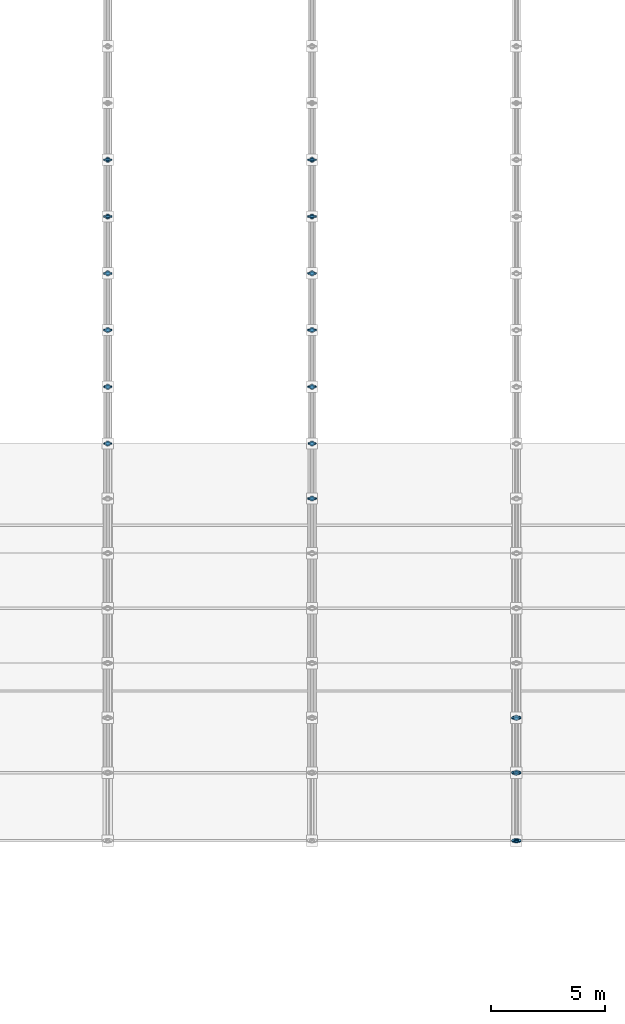
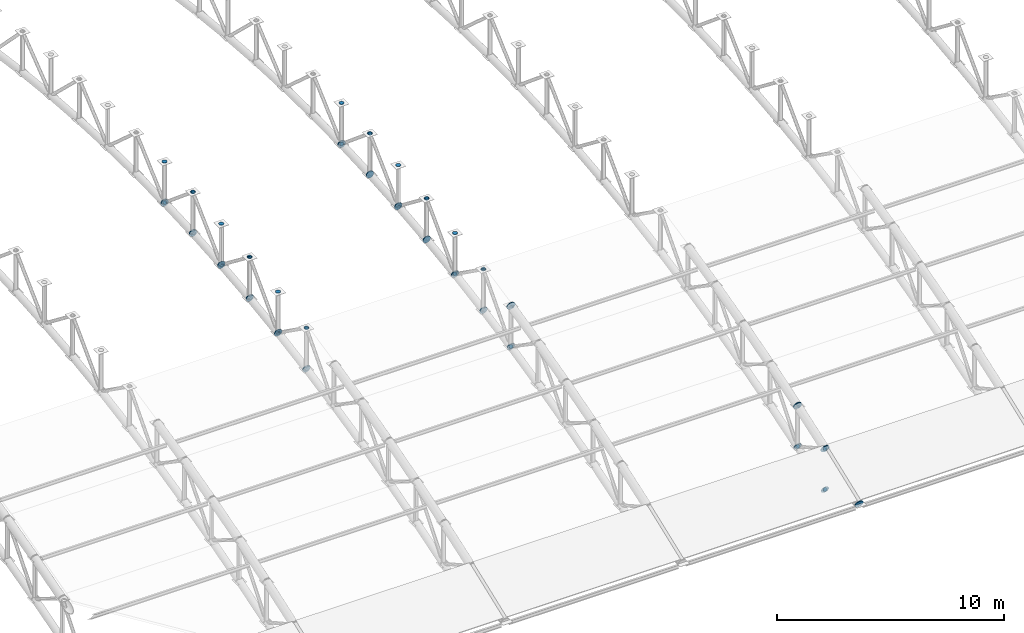
# One storey, part 120 of 195: 94 discrete accessories.
"""IFC4 building model written with IfcOpenShell, lengths in metres."""

import ifcopenshell
import ifcopenshell.guid

model = None  # the IFC model being written
_history = None  # IfcOwnerHistory: only IFC2X3 demands one
_inside = {}  # id of a spatial element -> (the spatial element, [elements in it])
_under = {}  # id of a project, library or spatial element -> (it, [spatial elements below it])
_declared = {}  # id of a project -> (the project, [libraries it declares])
_typed = {}  # id of a type object -> (the type object, [elements of that type])
_made_of = {}  # id of a material, layer set ... -> (it, [elements and type objects made of it])


def new_model(schema):
    """Start an empty IFC model of exactly this schema.

    Asked for "IFC4X3", IfcOpenShell would pick the latest addendum, in which some entities
    have other attributes; the version numbers below select the first issue.
    IFC2X3 requires an IfcOwnerHistory on every rooted entity: one is made here for all.
    """
    global model, _history
    if schema == "IFC4X3":
        model = ifcopenshell.file(schema_version=(4, 3, 0, 0))
    else:
        model = ifcopenshell.file(schema=schema)
    _inside.clear()
    _under.clear()
    _declared.clear()
    _typed.clear()
    _made_of.clear()
    _history = None
    if model.schema == "IFC2X3":
        org = make("IfcOrganization", Name="unknown")
        user = make(
            "IfcPersonAndOrganization",
            ThePerson=make("IfcPerson", FamilyName="unknown"),
            TheOrganization=org,
        )
        app = make(
            "IfcApplication",
            ApplicationDeveloper=org,
            Version="unknown",
            ApplicationFullName="unknown",
            ApplicationIdentifier="unknown",
        )
        _history = make(
            "IfcOwnerHistory",
            OwningUser=user,
            OwningApplication=app,
            ChangeAction="ADDED",
            CreationDate=0,
        )
    return model


def make(cls, **values):
    """One entity of the class cls with the attributes given. An attribute that is None is left unset."""
    return model.create_entity(
        cls, **{name: value for name, value in values.items() if value is not None}
    )


def rooted(cls, **values):
    """An entity with a GlobalId (a new one), such as an element, a storey or a relation."""
    return make(cls, GlobalId=ifcopenshell.guid.new(), OwnerHistory=_history, **values)


def si_unit(unit_type, name, prefix=None):
    """IfcSIUnit, for example si_unit("LENGTHUNIT", "METRE", prefix="MILLI")."""
    return make("IfcSIUnit", UnitType=unit_type, Prefix=prefix, Name=name)


def assignment(units):
    """IfcUnitAssignment: the units of a project."""
    return None if units is None else make("IfcUnitAssignment", Units=units)


def point(xyz):
    """IfcCartesianPoint."""
    return None if xyz is None else make("IfcCartesianPoint", Coordinates=xyz)


def direction(xyz):
    """IfcDirection."""
    return None if xyz is None else make("IfcDirection", DirectionRatios=xyz)


def frame(location, z_axis=None, x_axis=None):
    """IfcAxis2Placement3D, a coordinate frame: its origin and axes. An axis left out is left unset."""
    return make(
        "IfcAxis2Placement3D",
        Location=point(location),
        Axis=direction(z_axis),
        RefDirection=direction(x_axis),
    )


def frame_2d(location, x_axis=None):
    """IfcAxis2Placement2D, a coordinate frame in the plane: its origin and x axis."""
    return make(
        "IfcAxis2Placement2D", Location=point(location), RefDirection=direction(x_axis)
    )


def origin():
    """The frame at (0, 0, 0) with its axes left unset."""
    return frame((0.0, 0.0, 0.0))


def origin_2d():
    """The frame at (0, 0) in the plane with its x axis left unset."""
    return frame_2d((0.0, 0.0))


def place(relative_to, where):
    """IfcLocalPlacement: puts the frame where relative to a parent placement (None: the world)."""
    return make(
        "IfcLocalPlacement", PlacementRelTo=relative_to, RelativePlacement=where
    )


def context(
    kind, dimensions, precision=None, world=None, true_north=None, identifier=None
):
    """IfcGeometricRepresentationContext, for example the 3D "Model" context."""
    return make(
        "IfcGeometricRepresentationContext",
        ContextIdentifier=identifier,
        ContextType=kind,
        CoordinateSpaceDimension=dimensions,
        Precision=precision,
        WorldCoordinateSystem=world,
        TrueNorth=true_north,
    )


def subcontext(parent, identifier, kind, view, scale=None):
    """IfcGeometricRepresentationSubContext, for example "Body" below "Model"."""
    return make(
        "IfcGeometricRepresentationSubContext",
        ContextIdentifier=identifier,
        ContextType=kind,
        ParentContext=parent,
        TargetScale=scale,
        TargetView=view,
    )


def project(units=None, contexts=None):
    """IfcProject with its units and contexts."""
    return rooted(
        "IfcProject",
        Name="project",
        RepresentationContexts=contexts,
        UnitsInContext=assignment(units),
    )


def spatial(cls, under=None, at=None, **own):
    """A site, building, storey or space (cls), placed at a placement, below another one or the project."""
    s = rooted(cls, ObjectPlacement=at, **own)
    if under is not None:
        _under.setdefault(under.id(), (under, []))[1].append(s)
    return s


def profile(cls, at=None, kind="AREA", **sizes):
    """A parametric profile (cls). Its sizes go by their IFC names, for example OverallWidth=200.0."""
    return make(cls, ProfileType=kind, Position=at, **sizes)


def circle(**sizes):
    """IfcCircleProfileDef."""
    return profile("IfcCircleProfileDef", **sizes)


def extrude(swept, where, along, depth):
    """IfcExtrudedAreaSolid: the profile swept, set in the frame where, extruded along a direction by depth."""
    return make(
        "IfcExtrudedAreaSolid",
        SweptArea=swept,
        Position=where,
        ExtrudedDirection=direction(along),
        Depth=depth,
    )


def shape(context_of_items, identifier, shape_type, items):
    """IfcShapeRepresentation: the items that make up one representation, for example the "Body"."""
    return make(
        "IfcShapeRepresentation",
        ContextOfItems=context_of_items,
        RepresentationIdentifier=identifier,
        RepresentationType=shape_type,
        Items=items,
    )


def material(Name=None, Category=None):
    """IfcMaterial."""
    return make("IfcMaterial", Name=Name, Category=Category)


def made_of(thing, what):
    """Note that an element or type object is made of a material, layer set ...; save() writes the relation."""
    if what is not None:
        _made_of.setdefault(what.id(), (what, []))[1].append(thing)
    return thing


def element(
    cls,
    number,
    at=None,
    inside=None,
    cuts=None,
    type_object=None,
    material=None,
    context=None,
    identifier="Body",
    shape_type=None,
    held_by="IfcProductDefinitionShape",
    body=None,
    shapes=None,
    **own,
):
    """One element of the class cls, such as IfcWall. Its Tag is "e" and its number.

    at: its placement. inside: the storey or other place that contains it. cuts: it is an
    opening in that element (IfcRelVoidsElement). A single representation is given by context,
    identifier, shape_type and body (its items); several are given by shapes. held_by: the class
    of the entity that holds the representations. save() writes the other relations.
    """
    e = rooted(cls, Tag="e%d" % number, ObjectPlacement=at, **own)
    if body is not None:
        shapes = [shape(context, identifier, shape_type, body)]
    if shapes is not None:
        e.Representation = make(held_by, Representations=shapes)
    if inside is not None:
        _inside.setdefault(inside.id(), (inside, []))[1].append(e)
    if cuts is not None:
        rooted(
            "IfcRelVoidsElement", RelatingBuildingElement=cuts, RelatedOpeningElement=e
        )
    if type_object is not None:
        _typed.setdefault(type_object.id(), (type_object, []))[1].append(e)
    return made_of(e, material)


def aggregate(whole, parts):
    """IfcRelAggregates: a whole, such as a stair, and the parts it consists of."""
    return rooted("IfcRelAggregates", RelatingObject=whole, RelatedObjects=parts)


def save(model, path):
    """Write the relations noted so far, then the file.

    IfcRelAggregates (storeys below a building ...), IfcRelContainedInSpatialStructure (elements
    in a storey), IfcRelDefinesByType, IfcRelAssociatesMaterial and IfcRelDeclares: one each for
    every whole, place, type object, material and project.
    """
    for whole, parts in _under.values():
        aggregate(whole, parts)
    for where, things in _inside.values():
        rooted(
            "IfcRelContainedInSpatialStructure",
            RelatedElements=things,
            RelatingStructure=where,
        )
    for kind, things in _typed.values():
        rooted("IfcRelDefinesByType", RelatedObjects=things, RelatingType=kind)
    for what, things in _made_of.values():
        rooted("IfcRelAssociatesMaterial", RelatedObjects=things, RelatingMaterial=what)
    for by, libraries in _declared.values():
        rooted("IfcRelDeclares", RelatingContext=by, RelatedDefinitions=libraries)
    model.write(path)


model = new_model("IFC4")

# Units and contexts
model_context = context("Model", 3, precision=1e-05, world=origin(), true_north=direction((0.0, 1.0)))
body_context = subcontext(model_context, "Body", "Model", "MODEL_VIEW")
ifc_project = project(units=[si_unit("LENGTHUNIT", "METRE"), si_unit("AREAUNIT", "SQUARE_METRE"), si_unit("VOLUMEUNIT", "CUBIC_METRE"), si_unit("PLANEANGLEUNIT", "RADIAN"), si_unit("MASSUNIT", "GRAM", prefix="KILO")], contexts=[model_context])

# Site, building, storey
site_placement = place(None, origin())
site = spatial("IfcSite", under=ifc_project, at=site_placement, CompositionType="ELEMENT")
building_placement = place(site_placement, origin())
building = spatial("IfcBuilding", under=site, at=building_placement, Name="Marlcrest Central Station", CompositionType="ELEMENT")
storey_placement = place(building_placement, frame((0.0, 0.0, 9.800048828125)))
storey = spatial("IfcBuildingStorey", under=building, at=storey_placement, Name="L02", CompositionType="ELEMENT", Elevation=9.800048828125)

# Discrete accessories
ifc_material = material(Name="Steel S355", Category="steel")
discrete_accessory_1_placement = place(storey_placement, frame((18.0, 50.983154296875, 5.585205078125), z_axis=(0.0, 0.669244457479, 0.743042297675), x_axis=(-1.0, 0.0, 0.0)))
element("IfcDiscreteAccessory", 1, at=discrete_accessory_1_placement, inside=storey, material=ifc_material, Name="endcap-mem-AD-01-L02-00318-e", ObjectType="END_CAP_PLATE", PredefinedType="BRACKET", context=body_context, shape_type="SweptSolid", body=[
    extrude(circle(Radius=0.092041015625, at=origin_2d()), origin(), (0.0, 0.0, 1.0), 0.0400390625),
])
for number, where, z_axis, x_axis, name in (
    (2, (18.0, 50.985107421875, 3.4013671875), (0.0, 0.98574109921, 0.168269086076), (-1.0, 0.0, 0.0), "endcap-mem-AC-02-L02-00320-s"),
    (3, (18.0, 53.475341796875, 3.826416015625), (0.0, 0.98574109921, 0.168269086076), (-1.0, 0.0, 0.0), "endcap-mem-AC-02-L02-00320-e"),
):
    element("IfcDiscreteAccessory", number, at=place(storey_placement, frame(where, z_axis=z_axis, x_axis=x_axis)), inside=storey, material=ifc_material, Name=name, ObjectType="END_CAP_PLATE", PredefinedType="BRACKET", context=body_context, shape_type="SweptSolid", body=[
        extrude(circle(Radius=0.185791015625, at=origin_2d()), origin(), (0.0, 0.0, 1.0), 0.0400390625),
    ])
for number, where, z_axis, x_axis, name in (
    (4, (18.0, 51.0, 3.388916015625), (0.0, 0.0, 1.0), (1.0, 0.0, 0.0), "endcap-mem-AP-01-L02-00321-s"),
    (5, (18.0, 51.0, 5.578857421875), (0.0, 0.0, 1.0), (1.0, 0.0, 0.0), "endcap-mem-AP-01-L02-00321-e"),
):
    element("IfcDiscreteAccessory", number, at=place(storey_placement, frame(where, z_axis=z_axis, x_axis=x_axis)), inside=storey, material=ifc_material, Name=name, ObjectType="END_CAP_PLATE", PredefinedType="BRACKET", context=body_context, shape_type="SweptSolid", body=[
        extrude(circle(Radius=0.117431640625, at=origin_2d()), origin(), (0.0, 0.0, 1.0), 0.0400390625),
    ])
for number, where, z_axis, x_axis, name in (
    (6, (18.0, 50.98779296875, 5.612548828125), (0.0, 0.815661132754, -0.57852996164), (-1.0, 0.0, 0.0), "endcap-mem-AD-01-L02-00322-s"),
    (7, (18.0, 53.4794921875, 3.844970703125), (0.0, 0.815661132754, -0.57852996164), (-1.0, 0.0, 0.0), "endcap-mem-AD-01-L02-00322-e"),
):
    element("IfcDiscreteAccessory", number, at=place(storey_placement, frame(where, z_axis=z_axis, x_axis=x_axis)), inside=storey, material=ifc_material, Name=name, ObjectType="END_CAP_PLATE", PredefinedType="BRACKET", context=body_context, shape_type="SweptSolid", body=[
        extrude(circle(Radius=0.092041015625, at=origin_2d()), origin(), (0.0, 0.0, 1.0), 0.0400390625),
    ])
for number, where, z_axis, x_axis, name in (
    (8, (18.0, 53.485107421875, 3.82861328125), (0.0, 0.990402740232, 0.138211476152), (-1.0, 0.0, 0.0), "endcap-mem-AC-02-L02-00324-s"),
    (9, (18.0, 55.975341796875, 4.176025390625), (0.0, 0.990402740232, 0.138211476152), (-1.0, 0.0, 0.0), "endcap-mem-AC-02-L02-00324-e"),
):
    element("IfcDiscreteAccessory", number, at=place(storey_placement, frame(where, z_axis=z_axis, x_axis=x_axis)), inside=storey, material=ifc_material, Name=name, ObjectType="END_CAP_PLATE", PredefinedType="BRACKET", context=body_context, shape_type="SweptSolid", body=[
        extrude(circle(Radius=0.185791015625, at=origin_2d()), origin(), (0.0, 0.0, 1.0), 0.0400390625),
    ])
for number, where, z_axis, x_axis, name in (
    (10, (18.0, 53.5, 3.815673828125), (0.0, 0.0, 1.0), (1.0, 0.0, 0.0), "endcap-mem-AP-01-L02-00325-s"),
    (11, (18.0, 53.5, 6.005615234375), (0.0, 0.0, 1.0), (1.0, 0.0, 0.0), "endcap-mem-AP-01-L02-00325-e"),
):
    element("IfcDiscreteAccessory", number, at=place(storey_placement, frame(where, z_axis=z_axis, x_axis=x_axis)), inside=storey, material=ifc_material, Name=name, ObjectType="END_CAP_PLATE", PredefinedType="BRACKET", context=body_context, shape_type="SweptSolid", body=[
        extrude(circle(Radius=0.117431640625, at=origin_2d()), origin(), (0.0, 0.0, 1.0), 0.0400390625),
    ])
for number, where, z_axis, x_axis, name in (
    (12, (18.0, 53.489501953125, 3.81982421875), (0.0, 0.70023547796, 0.713911952139), (-1.0, 0.0, 0.0), "endcap-mem-AD-01-L02-00326-s"),
    (13, (18.0, 55.982421875, 6.361572265625), (0.0, 0.70023547796, 0.713911952139), (-1.0, 0.0, 0.0), "endcap-mem-AD-01-L02-00326-e"),
):
    element("IfcDiscreteAccessory", number, at=place(storey_placement, frame(where, z_axis=z_axis, x_axis=x_axis)), inside=storey, material=ifc_material, Name=name, ObjectType="END_CAP_PLATE", PredefinedType="BRACKET", context=body_context, shape_type="SweptSolid", body=[
        extrude(circle(Radius=0.092041015625, at=origin_2d()), origin(), (0.0, 0.0, 1.0), 0.0400390625),
    ])
for number, where, z_axis, x_axis, name in (
    (14, (18.0, 55.985107421875, 4.177734375), (0.0, 0.994155341034, 0.107959056565), (-1.0, 0.0, 0.0), "endcap-mem-AC-02-L02-00328-s"),
    (15, (18.0, 58.47509765625, 4.4482421875), (0.0, 0.994155341034, 0.107959056565), (-1.0, 0.0, 0.0), "endcap-mem-AC-02-L02-00328-e"),
):
    element("IfcDiscreteAccessory", number, at=place(storey_placement, frame(where, z_axis=z_axis, x_axis=x_axis)), inside=storey, material=ifc_material, Name=name, ObjectType="END_CAP_PLATE", PredefinedType="BRACKET", context=body_context, shape_type="SweptSolid", body=[
        extrude(circle(Radius=0.185791015625, at=origin_2d()), origin(), (0.0, 0.0, 1.0), 0.0400390625),
    ])
for number, where, z_axis, x_axis, name in (
    (16, (18.0, 56.0, 4.16455078125), (0.0, 0.0, 1.0), (1.0, 0.0, 0.0), "endcap-mem-AP-01-L02-00329-s"),
    (17, (18.0, 56.0, 6.3544921875), (0.0, 0.0, 1.0), (1.0, 0.0, 0.0), "endcap-mem-AP-01-L02-00329-e"),
):
    element("IfcDiscreteAccessory", number, at=place(storey_placement, frame(where, z_axis=z_axis, x_axis=x_axis)), inside=storey, material=ifc_material, Name=name, ObjectType="END_CAP_PLATE", PredefinedType="BRACKET", context=body_context, shape_type="SweptSolid", body=[
        extrude(circle(Radius=0.117431640625, at=origin_2d()), origin(), (0.0, 0.0, 1.0), 0.0400390625),
    ])
for number, where, z_axis, x_axis, name in (
    (18, (18.0, 55.988037109375, 6.388671875), (0.0, 0.791798282026, -0.610782678684), (-1.0, 0.0, 0.0), "endcap-mem-AD-01-L02-00330-s"),
    (19, (18.0, 58.480224609375, 4.46630859375), (0.0, 0.791798282026, -0.610782678684), (-1.0, 0.0, 0.0), "endcap-mem-AD-01-L02-00330-e"),
):
    element("IfcDiscreteAccessory", number, at=place(storey_placement, frame(where, z_axis=z_axis, x_axis=x_axis)), inside=storey, material=ifc_material, Name=name, ObjectType="END_CAP_PLATE", PredefinedType="BRACKET", context=body_context, shape_type="SweptSolid", body=[
        extrude(circle(Radius=0.092041015625, at=origin_2d()), origin(), (0.0, 0.0, 1.0), 0.0400390625),
    ])
for number, where, z_axis, x_axis, name in (
    (20, (18.0, 58.485107421875, 4.44970703125), (0.0, 0.997007334767, 0.077307014043), (-1.0, 0.0, 0.0), "endcap-mem-AC-02-L02-00332-s"),
    (21, (18.0, 60.97509765625, 4.642822265625), (0.0, 0.997007334767, 0.077307014043), (-1.0, 0.0, 0.0), "endcap-mem-AC-02-L02-00332-e"),
):
    element("IfcDiscreteAccessory", number, at=place(storey_placement, frame(where, z_axis=z_axis, x_axis=x_axis)), inside=storey, material=ifc_material, Name=name, ObjectType="END_CAP_PLATE", PredefinedType="BRACKET", context=body_context, shape_type="SweptSolid", body=[
        extrude(circle(Radius=0.185791015625, at=origin_2d()), origin(), (0.0, 0.0, 1.0), 0.0400390625),
    ])
for number, where, z_axis, x_axis, name in (
    (22, (18.0, 58.5, 4.43603515625), (0.0, 0.0, 1.0), (1.0, 0.0, 0.0), "endcap-mem-AP-01-L02-00333-s"),
    (23, (18.0, 58.5, 6.6259765625), (0.0, 0.0, 1.0), (1.0, 0.0, 0.0), "endcap-mem-AP-01-L02-00333-e"),
):
    element("IfcDiscreteAccessory", number, at=place(storey_placement, frame(where, z_axis=z_axis, x_axis=x_axis)), inside=storey, material=ifc_material, Name=name, ObjectType="END_CAP_PLATE", PredefinedType="BRACKET", context=body_context, shape_type="SweptSolid", body=[
        extrude(circle(Radius=0.117431640625, at=origin_2d()), origin(), (0.0, 0.0, 1.0), 0.0400390625),
    ])
for number, where, z_axis, x_axis, name in (
    (24, (18.0, 58.4892578125, 4.440673828125), (0.0, 0.722246537655, 0.691635698071), (-1.0, 0.0, 0.0), "endcap-mem-AD-01-L02-00334-s"),
    (25, (18.0, 60.98193359375, 6.82763671875), (0.0, 0.722246537655, 0.691635698071), (-1.0, 0.0, 0.0), "endcap-mem-AD-01-L02-00334-e"),
):
    element("IfcDiscreteAccessory", number, at=place(storey_placement, frame(where, z_axis=z_axis, x_axis=x_axis)), inside=storey, material=ifc_material, Name=name, ObjectType="END_CAP_PLATE", PredefinedType="BRACKET", context=body_context, shape_type="SweptSolid", body=[
        extrude(circle(Radius=0.092041015625, at=origin_2d()), origin(), (0.0, 0.0, 1.0), 0.0400390625),
    ])
for number, where, z_axis, x_axis, name in (
    (26, (18.0, 60.985107421875, 4.64404296875), (0.0, 0.998916819647, 0.046531574509), (-1.0, 0.0, 0.0), "endcap-mem-AC-02-L02-00336-s"),
    (27, (18.0, 63.47509765625, 4.760009765625), (0.0, 0.998916819647, 0.046531574509), (-1.0, 0.0, 0.0), "endcap-mem-AC-02-L02-00336-e"),
):
    element("IfcDiscreteAccessory", number, at=place(storey_placement, frame(where, z_axis=z_axis, x_axis=x_axis)), inside=storey, material=ifc_material, Name=name, ObjectType="END_CAP_PLATE", PredefinedType="BRACKET", context=body_context, shape_type="SweptSolid", body=[
        extrude(circle(Radius=0.185791015625, at=origin_2d()), origin(), (0.0, 0.0, 1.0), 0.0400390625),
    ])
for number, where, z_axis, x_axis, name in (
    (28, (18.0, 61.0, 4.6298828125), (0.0, 0.0, 1.0), (1.0, 0.0, 0.0), "endcap-mem-AP-01-L02-00337-s"),
    (29, (18.0, 61.0, 6.820068359375), (0.0, 0.0, 1.0), (1.0, 0.0, 0.0), "endcap-mem-AP-01-L02-00337-e"),
):
    element("IfcDiscreteAccessory", number, at=place(storey_placement, frame(where, z_axis=z_axis, x_axis=x_axis)), inside=storey, material=ifc_material, Name=name, ObjectType="END_CAP_PLATE", PredefinedType="BRACKET", context=body_context, shape_type="SweptSolid", body=[
        extrude(circle(Radius=0.117431640625, at=origin_2d()), origin(), (0.0, 0.0, 1.0), 0.0400390625),
    ])
for number, where, z_axis, x_axis, name in (
    (30, (18.0, 60.988525390625, 6.8544921875), (0.0, 0.768159787854, -0.640258182552), (-1.0, 0.0, 0.0), "endcap-mem-AD-01-L02-00338-s"),
    (31, (18.0, 63.480712890625, 4.77734375), (0.0, 0.768159787854, -0.640258182552), (-1.0, 0.0, 0.0), "endcap-mem-AD-01-L02-00338-e"),
):
    element("IfcDiscreteAccessory", number, at=place(storey_placement, frame(where, z_axis=z_axis, x_axis=x_axis)), inside=storey, material=ifc_material, Name=name, ObjectType="END_CAP_PLATE", PredefinedType="BRACKET", context=body_context, shape_type="SweptSolid", body=[
        extrude(circle(Radius=0.092041015625, at=origin_2d()), origin(), (0.0, 0.0, 1.0), 0.0400390625),
    ])
discrete_accessory_2_placement = place(storey_placement, frame((18.0, 63.485107421875, 4.760986328125), z_axis=(0.0, 0.999879472592, 0.01552547228), x_axis=(-1.0, 0.0, 0.0)))
element("IfcDiscreteAccessory", 32, at=discrete_accessory_2_placement, inside=storey, material=ifc_material, Name="endcap-mem-AC-02-L02-00340-s", ObjectType="END_CAP_PLATE", PredefinedType="BRACKET", context=body_context, shape_type="SweptSolid", body=[
    extrude(circle(Radius=0.185791015625, at=origin_2d()), origin(), (0.0, 0.0, 1.0), 0.0400390625),
])
for number, where, z_axis, x_axis, name in (
    (33, (18.0, 63.5, 4.746337890625), (0.0, 0.0, 1.0), (1.0, 0.0, 0.0), "endcap-mem-AP-01-L02-00341-s"),
    (34, (18.0, 63.5, 6.936279296875), (0.0, 0.0, 1.0), (1.0, 0.0, 0.0), "endcap-mem-AP-01-L02-00341-e"),
):
    element("IfcDiscreteAccessory", number, at=place(storey_placement, frame(where, z_axis=z_axis, x_axis=x_axis)), inside=storey, material=ifc_material, Name=name, ObjectType="END_CAP_PLATE", PredefinedType="BRACKET", context=body_context, shape_type="SweptSolid", body=[
        extrude(circle(Radius=0.117431640625, at=origin_2d()), origin(), (0.0, 0.0, 1.0), 0.0400390625),
    ])
discrete_accessory_3_placement = place(storey_placement, frame((18.0, 63.48876953125, 4.751220703125), z_axis=(0.0, 0.744955843007, 0.66711377738), x_axis=(-1.0, 0.0, 0.0)))
element("IfcDiscreteAccessory", 35, at=discrete_accessory_3_placement, inside=storey, material=ifc_material, Name="endcap-mem-AD-01-L02-00342-s", ObjectType="END_CAP_PLATE", PredefinedType="BRACKET", context=body_context, shape_type="SweptSolid", body=[
    extrude(circle(Radius=0.092041015625, at=origin_2d()), origin(), (0.0, 0.0, 1.0), 0.0400390625),
])
discrete_accessory_4_placement = place(storey_placement, frame((27.0, 48.5556640625, 5.111328125), z_axis=(0.0, 0.974329612642, 0.225126200004), x_axis=(-1.0, 0.0, 0.0)))
element("IfcDiscreteAccessory", 36, at=discrete_accessory_4_placement, inside=storey, material=ifc_material, Name="endcap-mem-AC-01-L02-00427-e", ObjectType="END_CAP_PLATE", PredefinedType="BRACKET", context=body_context, shape_type="SweptSolid", body=[
    extrude(circle(Radius=0.211181640625, at=origin_2d()), origin(), (0.0, 0.0, 1.0), 0.0400390625),
])
discrete_accessory_5_placement = place(storey_placement, frame((27.0, 48.5556640625, 2.911376953125), z_axis=(0.0, 0.974307959875, 0.225219891049), x_axis=(-1.0, 0.0, 0.0)))
element("IfcDiscreteAccessory", 37, at=discrete_accessory_5_placement, inside=storey, material=ifc_material, Name="endcap-mem-AC-02-L02-00428-e", ObjectType="END_CAP_PLATE", PredefinedType="BRACKET", context=body_context, shape_type="SweptSolid", body=[
    extrude(circle(Radius=0.185791015625, at=origin_2d()), origin(), (0.0, 0.0, 1.0), 0.0400390625),
])
discrete_accessory_6_placement = place(storey_placement, frame((27.0, 48.559326171875, 2.93115234375), z_axis=(0.0, 0.82626275624, -0.563284881432), x_axis=(-1.0, 0.0, 0.0)))
element("IfcDiscreteAccessory", 38, at=discrete_accessory_6_placement, inside=storey, material=ifc_material, Name="endcap-mem-AD-01-L02-00430-e", ObjectType="END_CAP_PLATE", PredefinedType="BRACKET", context=body_context, shape_type="SweptSolid", body=[
    extrude(circle(Radius=0.092041015625, at=origin_2d()), origin(), (0.0, 0.0, 1.0), 0.0400390625),
])
for number, where, z_axis, x_axis, name in (
    (39, (27.0, 48.5654296875, 2.9140625), (0.0, 0.980359417961, 0.197219196874), (-1.0, 0.0, 0.0), "endcap-mem-AC-02-L02-00432-s"),
    (40, (27.0, 50.9755859375, 3.39892578125), (0.0, 0.980359417961, 0.197219196874), (-1.0, 0.0, 0.0), "endcap-mem-AC-02-L02-00432-e"),
):
    element("IfcDiscreteAccessory", number, at=place(storey_placement, frame(where, z_axis=z_axis, x_axis=x_axis)), inside=storey, material=ifc_material, Name=name, ObjectType="END_CAP_PLATE", PredefinedType="BRACKET", context=body_context, shape_type="SweptSolid", body=[
        extrude(circle(Radius=0.185791015625, at=origin_2d()), origin(), (0.0, 0.0, 1.0), 0.0400390625),
    ])
for number, where, z_axis, x_axis, name in (
    (41, (27.0, 48.580078125, 2.902099609375), (0.0, 0.0, 1.0), (1.0, 0.0, 0.0), "endcap-mem-AP-01-L02-00433-s"),
    (42, (27.0, 48.580078125, 5.092041015625), (0.0, 0.0, 1.0), (1.0, 0.0, 0.0), "endcap-mem-AP-01-L02-00433-e"),
):
    element("IfcDiscreteAccessory", number, at=place(storey_placement, frame(where, z_axis=z_axis, x_axis=x_axis)), inside=storey, material=ifc_material, Name=name, ObjectType="END_CAP_PLATE", PredefinedType="BRACKET", context=body_context, shape_type="SweptSolid", body=[
        extrude(circle(Radius=0.117431640625, at=origin_2d()), origin(), (0.0, 0.0, 1.0), 0.0400390625),
    ])
for number, where, z_axis, x_axis, name in (
    (43, (27.0, 48.570068359375, 2.90576171875), (0.0, 0.669244457479, 0.743042297675), (-1.0, 0.0, 0.0), "endcap-mem-AD-01-L02-00434-s"),
    (44, (27.0, 50.983154296875, 5.585205078125), (0.0, 0.669244457479, 0.743042297675), (-1.0, 0.0, 0.0), "endcap-mem-AD-01-L02-00434-e"),
):
    element("IfcDiscreteAccessory", number, at=place(storey_placement, frame(where, z_axis=z_axis, x_axis=x_axis)), inside=storey, material=ifc_material, Name=name, ObjectType="END_CAP_PLATE", PredefinedType="BRACKET", context=body_context, shape_type="SweptSolid", body=[
        extrude(circle(Radius=0.092041015625, at=origin_2d()), origin(), (0.0, 0.0, 1.0), 0.0400390625),
    ])
for number, where, z_axis, x_axis, name in (
    (45, (27.0, 50.985107421875, 3.4013671875), (0.0, 0.98574109921, 0.168269086076), (-1.0, 0.0, 0.0), "endcap-mem-AC-02-L02-00436-s"),
    (46, (27.0, 53.475341796875, 3.826416015625), (0.0, 0.98574109921, 0.168269086076), (-1.0, 0.0, 0.0), "endcap-mem-AC-02-L02-00436-e"),
):
    element("IfcDiscreteAccessory", number, at=place(storey_placement, frame(where, z_axis=z_axis, x_axis=x_axis)), inside=storey, material=ifc_material, Name=name, ObjectType="END_CAP_PLATE", PredefinedType="BRACKET", context=body_context, shape_type="SweptSolid", body=[
        extrude(circle(Radius=0.185791015625, at=origin_2d()), origin(), (0.0, 0.0, 1.0), 0.0400390625),
    ])
for number, where, z_axis, x_axis, name in (
    (47, (27.0, 51.0, 3.388916015625), (0.0, 0.0, 1.0), (1.0, 0.0, 0.0), "endcap-mem-AP-01-L02-00437-s"),
    (48, (27.0, 51.0, 5.578857421875), (0.0, 0.0, 1.0), (1.0, 0.0, 0.0), "endcap-mem-AP-01-L02-00437-e"),
):
    element("IfcDiscreteAccessory", number, at=place(storey_placement, frame(where, z_axis=z_axis, x_axis=x_axis)), inside=storey, material=ifc_material, Name=name, ObjectType="END_CAP_PLATE", PredefinedType="BRACKET", context=body_context, shape_type="SweptSolid", body=[
        extrude(circle(Radius=0.117431640625, at=origin_2d()), origin(), (0.0, 0.0, 1.0), 0.0400390625),
    ])
for number, where, z_axis, x_axis, name in (
    (49, (27.0, 50.98779296875, 5.612548828125), (0.0, 0.815661132754, -0.57852996164), (-1.0, 0.0, 0.0), "endcap-mem-AD-01-L02-00438-s"),
    (50, (27.0, 53.4794921875, 3.844970703125), (0.0, 0.815661132754, -0.57852996164), (-1.0, 0.0, 0.0), "endcap-mem-AD-01-L02-00438-e"),
):
    element("IfcDiscreteAccessory", number, at=place(storey_placement, frame(where, z_axis=z_axis, x_axis=x_axis)), inside=storey, material=ifc_material, Name=name, ObjectType="END_CAP_PLATE", PredefinedType="BRACKET", context=body_context, shape_type="SweptSolid", body=[
        extrude(circle(Radius=0.092041015625, at=origin_2d()), origin(), (0.0, 0.0, 1.0), 0.0400390625),
    ])
for number, where, z_axis, x_axis, name in (
    (51, (27.0, 53.485107421875, 3.82861328125), (0.0, 0.990402740232, 0.138211476152), (-1.0, 0.0, 0.0), "endcap-mem-AC-02-L02-00440-s"),
    (52, (27.0, 55.975341796875, 4.176025390625), (0.0, 0.990402740232, 0.138211476152), (-1.0, 0.0, 0.0), "endcap-mem-AC-02-L02-00440-e"),
):
    element("IfcDiscreteAccessory", number, at=place(storey_placement, frame(where, z_axis=z_axis, x_axis=x_axis)), inside=storey, material=ifc_material, Name=name, ObjectType="END_CAP_PLATE", PredefinedType="BRACKET", context=body_context, shape_type="SweptSolid", body=[
        extrude(circle(Radius=0.185791015625, at=origin_2d()), origin(), (0.0, 0.0, 1.0), 0.0400390625),
    ])
for number, where, z_axis, x_axis, name in (
    (53, (27.0, 53.5, 3.815673828125), (0.0, 0.0, 1.0), (1.0, 0.0, 0.0), "endcap-mem-AP-01-L02-00441-s"),
    (54, (27.0, 53.5, 6.005615234375), (0.0, 0.0, 1.0), (1.0, 0.0, 0.0), "endcap-mem-AP-01-L02-00441-e"),
):
    element("IfcDiscreteAccessory", number, at=place(storey_placement, frame(where, z_axis=z_axis, x_axis=x_axis)), inside=storey, material=ifc_material, Name=name, ObjectType="END_CAP_PLATE", PredefinedType="BRACKET", context=body_context, shape_type="SweptSolid", body=[
        extrude(circle(Radius=0.117431640625, at=origin_2d()), origin(), (0.0, 0.0, 1.0), 0.0400390625),
    ])
for number, where, z_axis, x_axis, name in (
    (55, (27.0, 53.489501953125, 3.81982421875), (0.0, 0.70023547796, 0.713911952139), (-1.0, 0.0, 0.0), "endcap-mem-AD-01-L02-00442-s"),
    (56, (27.0, 55.982421875, 6.361572265625), (0.0, 0.70023547796, 0.713911952139), (-1.0, 0.0, 0.0), "endcap-mem-AD-01-L02-00442-e"),
):
    element("IfcDiscreteAccessory", number, at=place(storey_placement, frame(where, z_axis=z_axis, x_axis=x_axis)), inside=storey, material=ifc_material, Name=name, ObjectType="END_CAP_PLATE", PredefinedType="BRACKET", context=body_context, shape_type="SweptSolid", body=[
        extrude(circle(Radius=0.092041015625, at=origin_2d()), origin(), (0.0, 0.0, 1.0), 0.0400390625),
    ])
for number, where, z_axis, x_axis, name in (
    (57, (27.0, 55.985107421875, 4.177734375), (0.0, 0.994155341034, 0.107959056565), (-1.0, 0.0, 0.0), "endcap-mem-AC-02-L02-00444-s"),
    (58, (27.0, 58.47509765625, 4.4482421875), (0.0, 0.994155341034, 0.107959056565), (-1.0, 0.0, 0.0), "endcap-mem-AC-02-L02-00444-e"),
):
    element("IfcDiscreteAccessory", number, at=place(storey_placement, frame(where, z_axis=z_axis, x_axis=x_axis)), inside=storey, material=ifc_material, Name=name, ObjectType="END_CAP_PLATE", PredefinedType="BRACKET", context=body_context, shape_type="SweptSolid", body=[
        extrude(circle(Radius=0.185791015625, at=origin_2d()), origin(), (0.0, 0.0, 1.0), 0.0400390625),
    ])
for number, where, z_axis, x_axis, name in (
    (59, (27.0, 56.0, 4.16455078125), (0.0, 0.0, 1.0), (1.0, 0.0, 0.0), "endcap-mem-AP-01-L02-00445-s"),
    (60, (27.0, 56.0, 6.3544921875), (0.0, 0.0, 1.0), (1.0, 0.0, 0.0), "endcap-mem-AP-01-L02-00445-e"),
):
    element("IfcDiscreteAccessory", number, at=place(storey_placement, frame(where, z_axis=z_axis, x_axis=x_axis)), inside=storey, material=ifc_material, Name=name, ObjectType="END_CAP_PLATE", PredefinedType="BRACKET", context=body_context, shape_type="SweptSolid", body=[
        extrude(circle(Radius=0.117431640625, at=origin_2d()), origin(), (0.0, 0.0, 1.0), 0.0400390625),
    ])
for number, where, z_axis, x_axis, name in (
    (61, (27.0, 55.988037109375, 6.388671875), (0.0, 0.791798282026, -0.610782678684), (-1.0, 0.0, 0.0), "endcap-mem-AD-01-L02-00446-s"),
    (62, (27.0, 58.480224609375, 4.46630859375), (0.0, 0.791798282026, -0.610782678684), (-1.0, 0.0, 0.0), "endcap-mem-AD-01-L02-00446-e"),
):
    element("IfcDiscreteAccessory", number, at=place(storey_placement, frame(where, z_axis=z_axis, x_axis=x_axis)), inside=storey, material=ifc_material, Name=name, ObjectType="END_CAP_PLATE", PredefinedType="BRACKET", context=body_context, shape_type="SweptSolid", body=[
        extrude(circle(Radius=0.092041015625, at=origin_2d()), origin(), (0.0, 0.0, 1.0), 0.0400390625),
    ])
for number, where, z_axis, x_axis, name in (
    (63, (27.0, 58.485107421875, 4.44970703125), (0.0, 0.997007334767, 0.077307014043), (-1.0, 0.0, 0.0), "endcap-mem-AC-02-L02-00448-s"),
    (64, (27.0, 60.97509765625, 4.642822265625), (0.0, 0.997007334767, 0.077307014043), (-1.0, 0.0, 0.0), "endcap-mem-AC-02-L02-00448-e"),
):
    element("IfcDiscreteAccessory", number, at=place(storey_placement, frame(where, z_axis=z_axis, x_axis=x_axis)), inside=storey, material=ifc_material, Name=name, ObjectType="END_CAP_PLATE", PredefinedType="BRACKET", context=body_context, shape_type="SweptSolid", body=[
        extrude(circle(Radius=0.185791015625, at=origin_2d()), origin(), (0.0, 0.0, 1.0), 0.0400390625),
    ])
for number, where, z_axis, x_axis, name in (
    (65, (27.0, 58.5, 4.43603515625), (0.0, 0.0, 1.0), (1.0, 0.0, 0.0), "endcap-mem-AP-01-L02-00449-s"),
    (66, (27.0, 58.5, 6.6259765625), (0.0, 0.0, 1.0), (1.0, 0.0, 0.0), "endcap-mem-AP-01-L02-00449-e"),
):
    element("IfcDiscreteAccessory", number, at=place(storey_placement, frame(where, z_axis=z_axis, x_axis=x_axis)), inside=storey, material=ifc_material, Name=name, ObjectType="END_CAP_PLATE", PredefinedType="BRACKET", context=body_context, shape_type="SweptSolid", body=[
        extrude(circle(Radius=0.117431640625, at=origin_2d()), origin(), (0.0, 0.0, 1.0), 0.0400390625),
    ])
for number, where, z_axis, x_axis, name in (
    (67, (27.0, 58.4892578125, 4.440673828125), (0.0, 0.722246537655, 0.691635698071), (-1.0, 0.0, 0.0), "endcap-mem-AD-01-L02-00450-s"),
    (68, (27.0, 60.98193359375, 6.82763671875), (0.0, 0.722246537655, 0.691635698071), (-1.0, 0.0, 0.0), "endcap-mem-AD-01-L02-00450-e"),
):
    element("IfcDiscreteAccessory", number, at=place(storey_placement, frame(where, z_axis=z_axis, x_axis=x_axis)), inside=storey, material=ifc_material, Name=name, ObjectType="END_CAP_PLATE", PredefinedType="BRACKET", context=body_context, shape_type="SweptSolid", body=[
        extrude(circle(Radius=0.092041015625, at=origin_2d()), origin(), (0.0, 0.0, 1.0), 0.0400390625),
    ])
for number, where, z_axis, x_axis, name in (
    (69, (27.0, 60.985107421875, 4.64404296875), (0.0, 0.998916819647, 0.046531574509), (-1.0, 0.0, 0.0), "endcap-mem-AC-02-L02-00452-s"),
    (70, (27.0, 63.47509765625, 4.760009765625), (0.0, 0.998916819647, 0.046531574509), (-1.0, 0.0, 0.0), "endcap-mem-AC-02-L02-00452-e"),
):
    element("IfcDiscreteAccessory", number, at=place(storey_placement, frame(where, z_axis=z_axis, x_axis=x_axis)), inside=storey, material=ifc_material, Name=name, ObjectType="END_CAP_PLATE", PredefinedType="BRACKET", context=body_context, shape_type="SweptSolid", body=[
        extrude(circle(Radius=0.185791015625, at=origin_2d()), origin(), (0.0, 0.0, 1.0), 0.0400390625),
    ])
for number, where, z_axis, x_axis, name in (
    (71, (27.0, 61.0, 4.6298828125), (0.0, 0.0, 1.0), (1.0, 0.0, 0.0), "endcap-mem-AP-01-L02-00453-s"),
    (72, (27.0, 61.0, 6.820068359375), (0.0, 0.0, 1.0), (1.0, 0.0, 0.0), "endcap-mem-AP-01-L02-00453-e"),
):
    element("IfcDiscreteAccessory", number, at=place(storey_placement, frame(where, z_axis=z_axis, x_axis=x_axis)), inside=storey, material=ifc_material, Name=name, ObjectType="END_CAP_PLATE", PredefinedType="BRACKET", context=body_context, shape_type="SweptSolid", body=[
        extrude(circle(Radius=0.117431640625, at=origin_2d()), origin(), (0.0, 0.0, 1.0), 0.0400390625),
    ])
for number, where, z_axis, x_axis, name in (
    (73, (27.0, 60.988525390625, 6.8544921875), (0.0, 0.768159787854, -0.640258182552), (-1.0, 0.0, 0.0), "endcap-mem-AD-01-L02-00454-s"),
    (74, (27.0, 63.480712890625, 4.77734375), (0.0, 0.768159787854, -0.640258182552), (-1.0, 0.0, 0.0), "endcap-mem-AD-01-L02-00454-e"),
):
    element("IfcDiscreteAccessory", number, at=place(storey_placement, frame(where, z_axis=z_axis, x_axis=x_axis)), inside=storey, material=ifc_material, Name=name, ObjectType="END_CAP_PLATE", PredefinedType="BRACKET", context=body_context, shape_type="SweptSolid", body=[
        extrude(circle(Radius=0.092041015625, at=origin_2d()), origin(), (0.0, 0.0, 1.0), 0.0400390625),
    ])
discrete_accessory_7_placement = place(storey_placement, frame((27.0, 63.485107421875, 4.760986328125), z_axis=(0.0, 0.999879472592, 0.01552547228), x_axis=(-1.0, 0.0, 0.0)))
element("IfcDiscreteAccessory", 75, at=discrete_accessory_7_placement, inside=storey, material=ifc_material, Name="endcap-mem-AC-02-L02-00456-s", ObjectType="END_CAP_PLATE", PredefinedType="BRACKET", context=body_context, shape_type="SweptSolid", body=[
    extrude(circle(Radius=0.185791015625, at=origin_2d()), origin(), (0.0, 0.0, 1.0), 0.0400390625),
])
for number, where, z_axis, x_axis, name in (
    (76, (27.0, 63.5, 4.746337890625), (0.0, 0.0, 1.0), (1.0, 0.0, 0.0), "endcap-mem-AP-01-L02-00457-s"),
    (77, (27.0, 63.5, 6.936279296875), (0.0, 0.0, 1.0), (1.0, 0.0, 0.0), "endcap-mem-AP-01-L02-00457-e"),
):
    element("IfcDiscreteAccessory", number, at=place(storey_placement, frame(where, z_axis=z_axis, x_axis=x_axis)), inside=storey, material=ifc_material, Name=name, ObjectType="END_CAP_PLATE", PredefinedType="BRACKET", context=body_context, shape_type="SweptSolid", body=[
        extrude(circle(Radius=0.117431640625, at=origin_2d()), origin(), (0.0, 0.0, 1.0), 0.0400390625),
    ])
discrete_accessory_8_placement = place(storey_placement, frame((27.0, 63.48876953125, 4.751220703125), z_axis=(0.0, 0.744955843007, 0.66711377738), x_axis=(-1.0, 0.0, 0.0)))
element("IfcDiscreteAccessory", 78, at=discrete_accessory_8_placement, inside=storey, material=ifc_material, Name="endcap-mem-AD-01-L02-00458-s", ObjectType="END_CAP_PLATE", PredefinedType="BRACKET", context=body_context, shape_type="SweptSolid", body=[
    extrude(circle(Radius=0.092041015625, at=origin_2d()), origin(), (0.0, 0.0, 1.0), 0.0400390625),
])
for number, where, z_axis, x_axis, name in (
    (79, (36.0, 33.486083984375, 0.4404296875), (0.0, 0.933324071143, 0.359035065453), (-1.0, 0.0, 0.0), "endcap-mem-AC-01-L02-00525-s"),
    (80, (36.0, 36.4765625, 1.5908203125), (0.0, 0.933324071143, 0.359035065453), (-1.0, 0.0, 0.0), "endcap-mem-AC-01-L02-00525-e"),
):
    element("IfcDiscreteAccessory", number, at=place(storey_placement, frame(where, z_axis=z_axis, x_axis=x_axis)), inside=storey, material=ifc_material, Name=name, ObjectType="END_CAP_PLATE", PredefinedType="BRACKET", context=body_context, shape_type="SweptSolid", body=[
        extrude(circle(Radius=0.211181640625, at=origin_2d()), origin(), (0.0, 0.0, 1.0), 0.0400390625),
    ])
for number, where, z_axis, x_axis, name in (
    (81, (36.0, 36.51416015625, -0.60498046875), (0.0, -0.944260188635, 0.329200085296), (1.0, 0.0, 0.0), "endcap-mem-AD-01-L02-00526-s"),
    (82, (36.0, 33.523681640625, 0.4375), (0.0, -0.944260188635, 0.329200085296), (1.0, 0.0, 0.0), "endcap-mem-AD-01-L02-00526-e"),
):
    element("IfcDiscreteAccessory", number, at=place(storey_placement, frame(where, z_axis=z_axis, x_axis=x_axis)), inside=storey, material=ifc_material, Name=name, ObjectType="END_CAP_PLATE", PredefinedType="BRACKET", context=body_context, shape_type="SweptSolid", body=[
        extrude(circle(Radius=0.092041015625, at=origin_2d()), origin(), (0.0, 0.0, 1.0), 0.0400390625),
    ])
for number, where, z_axis, x_axis, name in (
    (83, (36.0, 36.48583984375, 1.594970703125), (0.0, 0.94353735649, 0.331266142109), (-1.0, 0.0, 0.0), "endcap-mem-AC-01-L02-00527-s"),
    (84, (36.0, 38.896240234375, 2.441162109375), (0.0, 0.94353735649, 0.331266142109), (-1.0, 0.0, 0.0), "endcap-mem-AC-01-L02-00527-e"),
):
    element("IfcDiscreteAccessory", number, at=place(storey_placement, frame(where, z_axis=z_axis, x_axis=x_axis)), inside=storey, material=ifc_material, Name=name, ObjectType="END_CAP_PLATE", PredefinedType="BRACKET", context=body_context, shape_type="SweptSolid", body=[
        extrude(circle(Radius=0.211181640625, at=origin_2d()), origin(), (0.0, 0.0, 1.0), 0.0400390625),
    ])
for number, where, z_axis, x_axis, name in (
    (85, (36.0, 36.48583984375, -0.60498046875), (0.0, 0.94353735649, 0.331266142109), (-1.0, 0.0, 0.0), "endcap-mem-AC-02-L02-00528-s"),
    (86, (36.0, 38.896240234375, 0.2412109375), (0.0, 0.94353735649, 0.331266142109), (-1.0, 0.0, 0.0), "endcap-mem-AC-02-L02-00528-e"),
):
    element("IfcDiscreteAccessory", number, at=place(storey_placement, frame(where, z_axis=z_axis, x_axis=x_axis)), inside=storey, material=ifc_material, Name=name, ObjectType="END_CAP_PLATE", PredefinedType="BRACKET", context=body_context, shape_type="SweptSolid", body=[
        extrude(circle(Radius=0.185791015625, at=origin_2d()), origin(), (0.0, 0.0, 1.0), 0.0400390625),
    ])
for number, where, z_axis, x_axis, name in (
    (87, (36.0, 36.5, -0.614990234375), (0.0, 0.0, 1.0), (1.0, 0.0, 0.0), "endcap-mem-AP-01-L02-00529-s"),
    (88, (36.0, 36.5, 1.574951171875), (0.0, 0.0, 1.0), (1.0, 0.0, 0.0), "endcap-mem-AP-01-L02-00529-e"),
):
    element("IfcDiscreteAccessory", number, at=place(storey_placement, frame(where, z_axis=z_axis, x_axis=x_axis)), inside=storey, material=ifc_material, Name=name, ObjectType="END_CAP_PLATE", PredefinedType="BRACKET", context=body_context, shape_type="SweptSolid", body=[
        extrude(circle(Radius=0.117431640625, at=origin_2d()), origin(), (0.0, 0.0, 1.0), 0.0400390625),
    ])
for number, where, z_axis, x_axis, name in (
    (89, (36.0, 36.48681640625, 1.607177734375), (0.0, 0.873245653167, -0.487280236851), (-1.0, 0.0, 0.0), "endcap-mem-AD-01-L02-00530-s"),
    (90, (36.0, 38.898193359375, 0.26171875), (0.0, 0.873245653167, -0.487280236851), (-1.0, 0.0, 0.0), "endcap-mem-AD-01-L02-00530-e"),
):
    element("IfcDiscreteAccessory", number, at=place(storey_placement, frame(where, z_axis=z_axis, x_axis=x_axis)), inside=storey, material=ifc_material, Name=name, ObjectType="END_CAP_PLATE", PredefinedType="BRACKET", context=body_context, shape_type="SweptSolid", body=[
        extrude(circle(Radius=0.092041015625, at=origin_2d()), origin(), (0.0, 0.0, 1.0), 0.0400390625),
    ])
discrete_accessory_9_placement = place(storey_placement, frame((36.0, 38.90576171875, 2.44482421875), z_axis=(0.0, 0.952116828449, 0.305734435391), x_axis=(-1.0, 0.0, 0.0)))
element("IfcDiscreteAccessory", 91, at=discrete_accessory_9_placement, inside=storey, material=ifc_material, Name="endcap-mem-AC-01-L02-00531-s", ObjectType="END_CAP_PLATE", PredefinedType="BRACKET", context=body_context, shape_type="SweptSolid", body=[
    extrude(circle(Radius=0.211181640625, at=origin_2d()), origin(), (0.0, 0.0, 1.0), 0.0400390625),
])
discrete_accessory_10_placement = place(storey_placement, frame((36.0, 38.90576171875, 0.244873046875), z_axis=(0.0, 0.952116828449, 0.305734435391), x_axis=(-1.0, 0.0, 0.0)))
element("IfcDiscreteAccessory", 92, at=discrete_accessory_10_placement, inside=storey, material=ifc_material, Name="endcap-mem-AC-02-L02-00532-s", ObjectType="END_CAP_PLATE", PredefinedType="BRACKET", context=body_context, shape_type="SweptSolid", body=[
    extrude(circle(Radius=0.185791015625, at=origin_2d()), origin(), (0.0, 0.0, 1.0), 0.0400390625),
])
for number, where, z_axis, x_axis, name in (
    (93, (36.0, 38.919921875, 0.234619140625), (0.0, 0.0, 1.0), (1.0, 0.0, 0.0), "endcap-mem-AP-01-L02-00533-s"),
    (94, (36.0, 38.919921875, 2.424560546875), (0.0, 0.0, 1.0), (1.0, 0.0, 0.0), "endcap-mem-AP-01-L02-00533-e"),
):
    element("IfcDiscreteAccessory", number, at=place(storey_placement, frame(where, z_axis=z_axis, x_axis=x_axis)), inside=storey, material=ifc_material, Name=name, ObjectType="END_CAP_PLATE", PredefinedType="BRACKET", context=body_context, shape_type="SweptSolid", body=[
        extrude(circle(Radius=0.117431640625, at=origin_2d()), origin(), (0.0, 0.0, 1.0), 0.0400390625),
    ])

save(model, "model.ifc")
